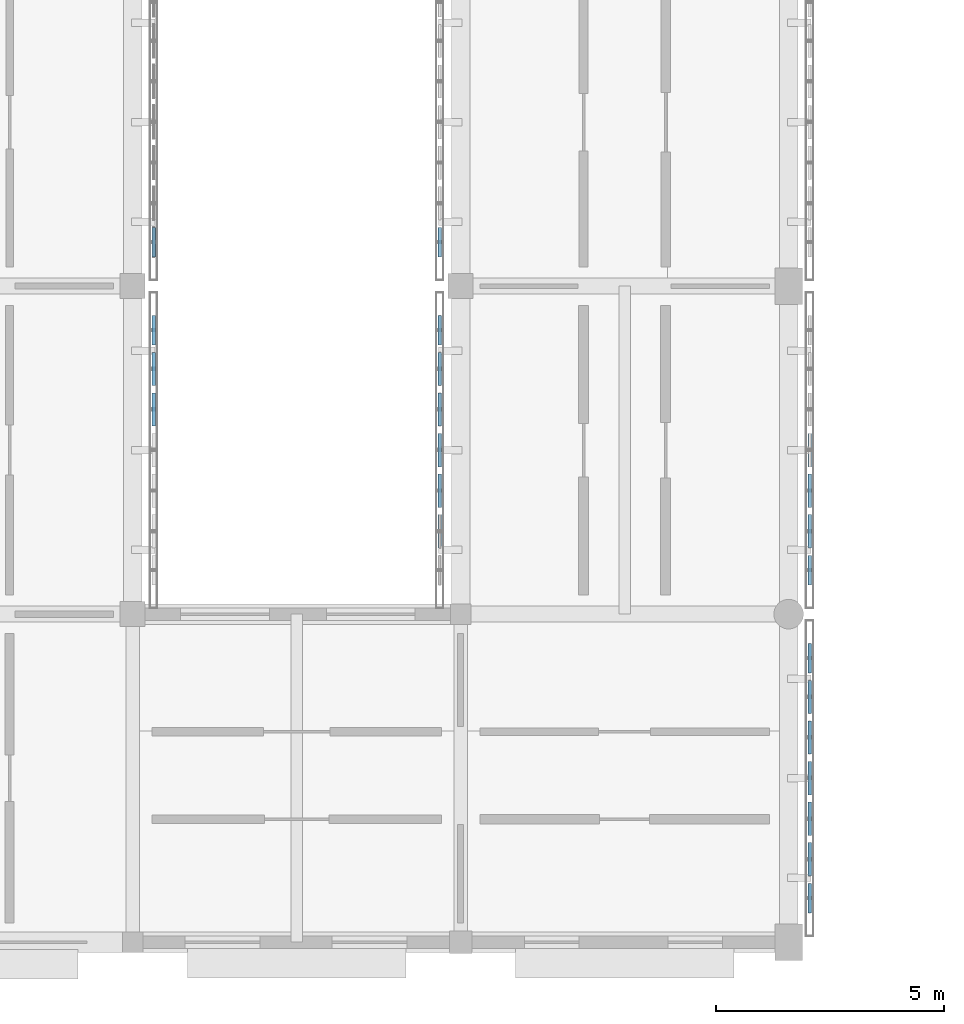
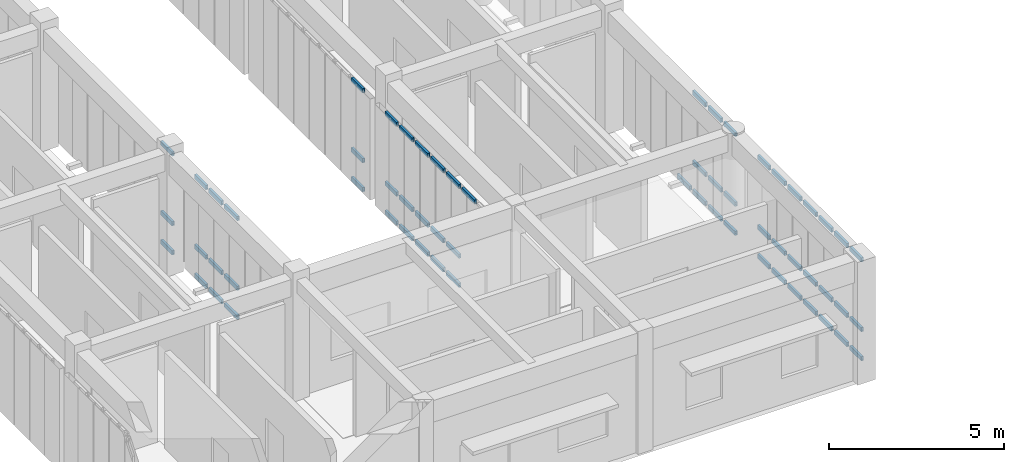
# One storey, part 70 of 171: 62 members, 6 elements without a shape of their own.
"""IFC4 building model written with IfcOpenShell, lengths in metres."""

from ifc_helpers import new_model, si_unit, direction, frame, origin, origin_2d, place, context, subcontext, project, spatial, hollow_rectangle, extrude, material, material_profile, profile_set, type_object, element, aggregate, save


model = new_model("IFC4")

# Units and contexts
model_context = context("Model", 3, precision=1e-05, world=origin(), true_north=direction((0.0, 1.0)))
body_context = subcontext(model_context, "Body", "Model", "MODEL_VIEW")
ifc_project = project(units=[si_unit("LENGTHUNIT", "METRE"), si_unit("AREAUNIT", "SQUARE_METRE"), si_unit("VOLUMEUNIT", "CUBIC_METRE"), si_unit("PLANEANGLEUNIT", "RADIAN"), si_unit("MASSUNIT", "GRAM", prefix="KILO")], contexts=[model_context])

# Site, building, storey
site_placement = place(None, origin())
site = spatial("IfcSite", under=ifc_project, at=site_placement, CompositionType="ELEMENT")
building_placement = place(site_placement, origin())
building = spatial("IfcBuilding", under=site, at=building_placement, Name="Aldebral Square Health Centre", CompositionType="ELEMENT")
storey_placement = place(building_placement, frame((0.0, 0.0, 4.5)))
storey = spatial("IfcBuildingStorey", under=building, at=storey_placement, Name="L01", CompositionType="ELEMENT", Elevation=4.5)

# Curtain wall, members
ifc_material_1 = material(Name="Aluminium and low-E solar glass", Category="aluminium")
curtain_wall_type = type_object("IfcCurtainWallType", Name="CW-FIN-SYS", PredefinedType="USERDEFINED", material=ifc_material_1)
curtain_wall_1_placement = place(storey_placement, origin())
curtain_wall_1 = element("IfcCurtainWall", 1, at=curtain_wall_1_placement, inside=storey, type_object=curtain_wall_type, Name="L01 V6 finned curtain wall L01-V6-00-01-E", ObjectType="SOLAR_CURTAIN_WALL", PredefinedType="USERDEFINED")
ifc_material_2 = material(Name="Anodised aluminium transom", Category="aluminium")
ifc_material_profile = material_profile(ifc_material_2, hollow_rectangle(XDim=0.074951171875, YDim=0.14990234375, WallThickness=0.00390625, at=origin_2d()), Name="CWT 75x150x4")
ifc_profile_set = profile_set([ifc_material_profile], Name="Anodised aluminium transom")
member_type = type_object("IfcMemberType", Name="CWT-STD", PredefinedType="USERDEFINED", material=ifc_profile_set)
member_1_placement = place(storey_placement, frame((7.659912109375, 11.32568359375, 0.03759765625), z_axis=(0.0, 1.0, 0.0), x_axis=(-1.0, 0.0, 0.0)))
member_1 = element("IfcMember", 2, at=member_1_placement, type_object=member_type, Name="CW1 transom 5.1", ObjectType="TRANSOM", PredefinedType="USERDEFINED", context=body_context, shape_type="SweptSolid", body=[
    extrude(hollow_rectangle(XDim=0.074951171875, YDim=0.14990234375, WallThickness=0.00390625, at=origin_2d()), origin(), (0.0, 0.0, 1.0), 0.7314453125),
])
member_2_placement = place(storey_placement, frame((7.659912109375, 11.32568359375, 1.050048828125), z_axis=(0.0, 1.0, 0.0), x_axis=(-1.0, 0.0, 0.0)))
member_2 = element("IfcMember", 3, at=member_2_placement, type_object=member_type, Name="CW1 transom 5.2", ObjectType="TRANSOM", PredefinedType="USERDEFINED", context=body_context, shape_type="SweptSolid", body=[
    extrude(hollow_rectangle(XDim=0.074951171875, YDim=0.14990234375, WallThickness=0.00390625, at=origin_2d()), origin(), (0.0, 0.0, 1.0), 0.7314453125),
])
member_3_placement = place(storey_placement, frame((7.659912109375, 11.32568359375, 3.482421875), z_axis=(0.0, 1.0, 0.0), x_axis=(-1.0, 0.0, 0.0)))
member_3 = element("IfcMember", 4, at=member_3_placement, type_object=member_type, Name="CW1 transom 5.3", ObjectType="TRANSOM", PredefinedType="USERDEFINED", context=body_context, shape_type="SweptSolid", body=[
    extrude(hollow_rectangle(XDim=0.074951171875, YDim=0.14990234375, WallThickness=0.00390625, at=origin_2d()), origin(), (0.0, 0.0, 1.0), 0.7314453125),
])
member_4_placement = place(storey_placement, frame((7.659912109375, 12.217041015625, 0.03759765625), z_axis=(0.0, 1.0, 0.0), x_axis=(-1.0, 0.0, 0.0)))
member_4 = element("IfcMember", 5, at=member_4_placement, type_object=member_type, Name="CW1 transom 6.1", ObjectType="TRANSOM", PredefinedType="USERDEFINED", context=body_context, shape_type="SweptSolid", body=[
    extrude(hollow_rectangle(XDim=0.074951171875, YDim=0.14990234375, WallThickness=0.00390625, at=origin_2d()), origin(), (0.0, 0.0, 1.0), 0.7314453125),
])
member_5_placement = place(storey_placement, frame((7.659912109375, 12.217041015625, 1.050048828125), z_axis=(0.0, 1.0, 0.0), x_axis=(-1.0, 0.0, 0.0)))
member_5 = element("IfcMember", 6, at=member_5_placement, type_object=member_type, Name="CW1 transom 6.2", ObjectType="TRANSOM", PredefinedType="USERDEFINED", context=body_context, shape_type="SweptSolid", body=[
    extrude(hollow_rectangle(XDim=0.074951171875, YDim=0.14990234375, WallThickness=0.00390625, at=origin_2d()), origin(), (0.0, 0.0, 1.0), 0.7314453125),
])
member_6_placement = place(storey_placement, frame((7.659912109375, 12.217041015625, 3.482421875), z_axis=(0.0, 1.0, 0.0), x_axis=(-1.0, 0.0, 0.0)))
member_6 = element("IfcMember", 7, at=member_6_placement, type_object=member_type, Name="CW1 transom 6.3", ObjectType="TRANSOM", PredefinedType="USERDEFINED", context=body_context, shape_type="SweptSolid", body=[
    extrude(hollow_rectangle(XDim=0.074951171875, YDim=0.14990234375, WallThickness=0.00390625, at=origin_2d()), origin(), (0.0, 0.0, 1.0), 0.7314453125),
])
member_7_placement = place(storey_placement, frame((7.659912109375, 13.108642578125, 0.03759765625), z_axis=(0.0, 1.0, 0.0), x_axis=(-1.0, 0.0, 0.0)))
member_7 = element("IfcMember", 8, at=member_7_placement, type_object=member_type, Name="CW1 transom 7.1", ObjectType="TRANSOM", PredefinedType="USERDEFINED", context=body_context, shape_type="SweptSolid", body=[
    extrude(hollow_rectangle(XDim=0.074951171875, YDim=0.14990234375, WallThickness=0.00390625, at=origin_2d()), origin(), (0.0, 0.0, 1.0), 0.6513671875),
])
member_8_placement = place(storey_placement, frame((7.659912109375, 13.108642578125, 1.050048828125), z_axis=(0.0, 1.0, 0.0), x_axis=(-1.0, 0.0, 0.0)))
member_8 = element("IfcMember", 9, at=member_8_placement, type_object=member_type, Name="CW1 transom 7.2", ObjectType="TRANSOM", PredefinedType="USERDEFINED", context=body_context, shape_type="SweptSolid", body=[
    extrude(hollow_rectangle(XDim=0.074951171875, YDim=0.14990234375, WallThickness=0.00390625, at=origin_2d()), origin(), (0.0, 0.0, 1.0), 0.6513671875),
])
member_9_placement = place(storey_placement, frame((7.659912109375, 13.108642578125, 3.482421875), z_axis=(0.0, 1.0, 0.0), x_axis=(-1.0, 0.0, 0.0)))
member_9 = element("IfcMember", 10, at=member_9_placement, type_object=member_type, Name="CW1 transom 7.3", ObjectType="TRANSOM", PredefinedType="USERDEFINED", context=body_context, shape_type="SweptSolid", body=[
    extrude(hollow_rectangle(XDim=0.074951171875, YDim=0.14990234375, WallThickness=0.00390625, at=origin_2d()), origin(), (0.0, 0.0, 1.0), 0.6513671875),
])
aggregate(curtain_wall_1, [member_1, member_2, member_3, member_4, member_5, member_6, member_7, member_8, member_9])

curtain_wall_2_placement = place(storey_placement, origin())
curtain_wall_2 = element("IfcCurtainWall", 11, at=curtain_wall_2_placement, inside=storey, type_object=curtain_wall_type, Name="L01 V6 finned curtain wall L01-V6-00-02-E", ObjectType="SOLAR_CURTAIN_WALL", PredefinedType="USERDEFINED")
member_10_placement = place(storey_placement, frame((7.659912109375, 15.0400390625, 0.03759765625), z_axis=(0.0, 1.0, 0.0), x_axis=(-1.0, 0.0, 0.0)))
member_10 = element("IfcMember", 12, at=member_10_placement, type_object=member_type, Name="CW1 transom 1.1", ObjectType="TRANSOM", PredefinedType="USERDEFINED", context=body_context, shape_type="SweptSolid", body=[
    extrude(hollow_rectangle(XDim=0.074951171875, YDim=0.14990234375, WallThickness=0.00390625, at=origin_2d()), origin(), (0.0, 0.0, 1.0), 0.6513671875),
])
member_11_placement = place(storey_placement, frame((7.659912109375, 15.0400390625, 1.050048828125), z_axis=(0.0, 1.0, 0.0), x_axis=(-1.0, 0.0, 0.0)))
member_11 = element("IfcMember", 13, at=member_11_placement, type_object=member_type, Name="CW1 transom 1.2", ObjectType="TRANSOM", PredefinedType="USERDEFINED", context=body_context, shape_type="SweptSolid", body=[
    extrude(hollow_rectangle(XDim=0.074951171875, YDim=0.14990234375, WallThickness=0.00390625, at=origin_2d()), origin(), (0.0, 0.0, 1.0), 0.6513671875),
])
member_12_placement = place(storey_placement, frame((7.659912109375, 15.0400390625, 3.482421875), z_axis=(0.0, 1.0, 0.0), x_axis=(-1.0, 0.0, 0.0)))
member_12 = element("IfcMember", 14, at=member_12_placement, type_object=member_type, Name="CW1 transom 1.3", ObjectType="TRANSOM", PredefinedType="USERDEFINED", context=body_context, shape_type="SweptSolid", body=[
    extrude(hollow_rectangle(XDim=0.074951171875, YDim=0.14990234375, WallThickness=0.00390625, at=origin_2d()), origin(), (0.0, 0.0, 1.0), 0.6513671875),
])
aggregate(curtain_wall_2, [member_10, member_11, member_12])

curtain_wall_3_placement = place(storey_placement, origin())
curtain_wall_3 = element("IfcCurtainWall", 15, at=curtain_wall_3_placement, inside=storey, type_object=curtain_wall_type, Name="L01 V6 finned curtain wall L01-V6-02-00-E", ObjectType="SOLAR_CURTAIN_WALL", PredefinedType="USERDEFINED")
member_13_placement = place(storey_placement, frame((22.06005859375, 0.639892578125, 0.03759765625), z_axis=(0.0, 1.0, 0.0), x_axis=(-1.0, 0.0, 0.0)))
member_13 = element("IfcMember", 16, at=member_13_placement, type_object=member_type, Name="CW1 transom 1.1", ObjectType="TRANSOM", PredefinedType="USERDEFINED", context=body_context, shape_type="SweptSolid", body=[
    extrude(hollow_rectangle(XDim=0.074951171875, YDim=0.14990234375, WallThickness=0.00390625, at=origin_2d()), origin(), (0.0, 0.0, 1.0), 0.651611328125),
])
member_14_placement = place(storey_placement, frame((22.06005859375, 0.639892578125, 1.050048828125), z_axis=(0.0, 1.0, 0.0), x_axis=(-1.0, 0.0, 0.0)))
member_14 = element("IfcMember", 17, at=member_14_placement, type_object=member_type, Name="CW1 transom 1.2", ObjectType="TRANSOM", PredefinedType="USERDEFINED", context=body_context, shape_type="SweptSolid", body=[
    extrude(hollow_rectangle(XDim=0.074951171875, YDim=0.14990234375, WallThickness=0.00390625, at=origin_2d()), origin(), (0.0, 0.0, 1.0), 0.651611328125),
])
member_15_placement = place(storey_placement, frame((22.06005859375, 0.639892578125, 3.482421875), z_axis=(0.0, 1.0, 0.0), x_axis=(-1.0, 0.0, 0.0)))
member_15 = element("IfcMember", 18, at=member_15_placement, type_object=member_type, Name="CW1 transom 1.3", ObjectType="TRANSOM", PredefinedType="USERDEFINED", context=body_context, shape_type="SweptSolid", body=[
    extrude(hollow_rectangle(XDim=0.074951171875, YDim=0.14990234375, WallThickness=0.00390625, at=origin_2d()), origin(), (0.0, 0.0, 1.0), 0.651611328125),
])
member_16_placement = place(storey_placement, frame((22.06005859375, 1.451416015625, 0.03759765625), z_axis=(0.0, 1.0, 0.0), x_axis=(-1.0, 0.0, 0.0)))
member_16 = element("IfcMember", 19, at=member_16_placement, type_object=member_type, Name="CW1 transom 2.1", ObjectType="TRANSOM", PredefinedType="USERDEFINED", context=body_context, shape_type="SweptSolid", body=[
    extrude(hollow_rectangle(XDim=0.074951171875, YDim=0.14990234375, WallThickness=0.00390625, at=origin_2d()), origin(), (0.0, 0.0, 1.0), 0.7314453125),
])
member_17_placement = place(storey_placement, frame((22.06005859375, 1.451416015625, 1.050048828125), z_axis=(0.0, 1.0, 0.0), x_axis=(-1.0, 0.0, 0.0)))
member_17 = element("IfcMember", 20, at=member_17_placement, type_object=member_type, Name="CW1 transom 2.2", ObjectType="TRANSOM", PredefinedType="USERDEFINED", context=body_context, shape_type="SweptSolid", body=[
    extrude(hollow_rectangle(XDim=0.074951171875, YDim=0.14990234375, WallThickness=0.00390625, at=origin_2d()), origin(), (0.0, 0.0, 1.0), 0.7314453125),
])
member_18_placement = place(storey_placement, frame((22.06005859375, 1.451416015625, 3.482421875), z_axis=(0.0, 1.0, 0.0), x_axis=(-1.0, 0.0, 0.0)))
member_18 = element("IfcMember", 21, at=member_18_placement, type_object=member_type, Name="CW1 transom 2.3", ObjectType="TRANSOM", PredefinedType="USERDEFINED", context=body_context, shape_type="SweptSolid", body=[
    extrude(hollow_rectangle(XDim=0.074951171875, YDim=0.14990234375, WallThickness=0.00390625, at=origin_2d()), origin(), (0.0, 0.0, 1.0), 0.7314453125),
])
member_19_placement = place(storey_placement, frame((22.06005859375, 2.3427734375, 0.03759765625), z_axis=(0.0, 1.0, 0.0), x_axis=(-1.0, 0.0, 0.0)))
member_19 = element("IfcMember", 22, at=member_19_placement, type_object=member_type, Name="CW1 transom 3.1", ObjectType="TRANSOM", PredefinedType="USERDEFINED", context=body_context, shape_type="SweptSolid", body=[
    extrude(hollow_rectangle(XDim=0.074951171875, YDim=0.14990234375, WallThickness=0.00390625, at=origin_2d()), origin(), (0.0, 0.0, 1.0), 0.7314453125),
])
member_20_placement = place(storey_placement, frame((22.06005859375, 2.3427734375, 1.050048828125), z_axis=(0.0, 1.0, 0.0), x_axis=(-1.0, 0.0, 0.0)))
member_20 = element("IfcMember", 23, at=member_20_placement, type_object=member_type, Name="CW1 transom 3.2", ObjectType="TRANSOM", PredefinedType="USERDEFINED", context=body_context, shape_type="SweptSolid", body=[
    extrude(hollow_rectangle(XDim=0.074951171875, YDim=0.14990234375, WallThickness=0.00390625, at=origin_2d()), origin(), (0.0, 0.0, 1.0), 0.7314453125),
])
member_21_placement = place(storey_placement, frame((22.06005859375, 2.3427734375, 3.482421875), z_axis=(0.0, 1.0, 0.0), x_axis=(-1.0, 0.0, 0.0)))
member_21 = element("IfcMember", 24, at=member_21_placement, type_object=member_type, Name="CW1 transom 3.3", ObjectType="TRANSOM", PredefinedType="USERDEFINED", context=body_context, shape_type="SweptSolid", body=[
    extrude(hollow_rectangle(XDim=0.074951171875, YDim=0.14990234375, WallThickness=0.00390625, at=origin_2d()), origin(), (0.0, 0.0, 1.0), 0.7314453125),
])
member_22_placement = place(storey_placement, frame((22.06005859375, 3.234375, 0.03759765625), z_axis=(0.0, 1.0, 0.0), x_axis=(-1.0, 0.0, 0.0)))
member_22 = element("IfcMember", 25, at=member_22_placement, type_object=member_type, Name="CW1 transom 4.1", ObjectType="TRANSOM", PredefinedType="USERDEFINED", context=body_context, shape_type="SweptSolid", body=[
    extrude(hollow_rectangle(XDim=0.074951171875, YDim=0.14990234375, WallThickness=0.00390625, at=origin_2d()), origin(), (0.0, 0.0, 1.0), 0.7314453125),
])
member_23_placement = place(storey_placement, frame((22.06005859375, 3.234375, 1.050048828125), z_axis=(0.0, 1.0, 0.0), x_axis=(-1.0, 0.0, 0.0)))
member_23 = element("IfcMember", 26, at=member_23_placement, type_object=member_type, Name="CW1 transom 4.2", ObjectType="TRANSOM", PredefinedType="USERDEFINED", context=body_context, shape_type="SweptSolid", body=[
    extrude(hollow_rectangle(XDim=0.074951171875, YDim=0.14990234375, WallThickness=0.00390625, at=origin_2d()), origin(), (0.0, 0.0, 1.0), 0.7314453125),
])
member_24_placement = place(storey_placement, frame((22.06005859375, 3.234375, 3.482421875), z_axis=(0.0, 1.0, 0.0), x_axis=(-1.0, 0.0, 0.0)))
member_24 = element("IfcMember", 27, at=member_24_placement, type_object=member_type, Name="CW1 transom 4.3", ObjectType="TRANSOM", PredefinedType="USERDEFINED", context=body_context, shape_type="SweptSolid", body=[
    extrude(hollow_rectangle(XDim=0.074951171875, YDim=0.14990234375, WallThickness=0.00390625, at=origin_2d()), origin(), (0.0, 0.0, 1.0), 0.7314453125),
])
member_25_placement = place(storey_placement, frame((22.06005859375, 4.125732421875, 0.03759765625), z_axis=(0.0, 1.0, 0.0), x_axis=(-1.0, 0.0, 0.0)))
member_25 = element("IfcMember", 28, at=member_25_placement, type_object=member_type, Name="CW1 transom 5.1", ObjectType="TRANSOM", PredefinedType="USERDEFINED", context=body_context, shape_type="SweptSolid", body=[
    extrude(hollow_rectangle(XDim=0.074951171875, YDim=0.14990234375, WallThickness=0.00390625, at=origin_2d()), origin(), (0.0, 0.0, 1.0), 0.7314453125),
])
member_26_placement = place(storey_placement, frame((22.06005859375, 4.125732421875, 1.050048828125), z_axis=(0.0, 1.0, 0.0), x_axis=(-1.0, 0.0, 0.0)))
member_26 = element("IfcMember", 29, at=member_26_placement, type_object=member_type, Name="CW1 transom 5.2", ObjectType="TRANSOM", PredefinedType="USERDEFINED", context=body_context, shape_type="SweptSolid", body=[
    extrude(hollow_rectangle(XDim=0.074951171875, YDim=0.14990234375, WallThickness=0.00390625, at=origin_2d()), origin(), (0.0, 0.0, 1.0), 0.7314453125),
])
member_27_placement = place(storey_placement, frame((22.06005859375, 4.125732421875, 3.482421875), z_axis=(0.0, 1.0, 0.0), x_axis=(-1.0, 0.0, 0.0)))
member_27 = element("IfcMember", 30, at=member_27_placement, type_object=member_type, Name="CW1 transom 5.3", ObjectType="TRANSOM", PredefinedType="USERDEFINED", context=body_context, shape_type="SweptSolid", body=[
    extrude(hollow_rectangle(XDim=0.074951171875, YDim=0.14990234375, WallThickness=0.00390625, at=origin_2d()), origin(), (0.0, 0.0, 1.0), 0.7314453125),
])
member_28_placement = place(storey_placement, frame((22.06005859375, 5.01708984375, 0.03759765625), z_axis=(0.0, 1.0, 0.0), x_axis=(-1.0, 0.0, 0.0)))
member_28 = element("IfcMember", 31, at=member_28_placement, type_object=member_type, Name="CW1 transom 6.1", ObjectType="TRANSOM", PredefinedType="USERDEFINED", context=body_context, shape_type="SweptSolid", body=[
    extrude(hollow_rectangle(XDim=0.074951171875, YDim=0.14990234375, WallThickness=0.00390625, at=origin_2d()), origin(), (0.0, 0.0, 1.0), 0.7314453125),
])
member_29_placement = place(storey_placement, frame((22.06005859375, 5.01708984375, 1.050048828125), z_axis=(0.0, 1.0, 0.0), x_axis=(-1.0, 0.0, 0.0)))
member_29 = element("IfcMember", 32, at=member_29_placement, type_object=member_type, Name="CW1 transom 6.2", ObjectType="TRANSOM", PredefinedType="USERDEFINED", context=body_context, shape_type="SweptSolid", body=[
    extrude(hollow_rectangle(XDim=0.074951171875, YDim=0.14990234375, WallThickness=0.00390625, at=origin_2d()), origin(), (0.0, 0.0, 1.0), 0.7314453125),
])
member_30_placement = place(storey_placement, frame((22.06005859375, 5.01708984375, 3.482421875), z_axis=(0.0, 1.0, 0.0), x_axis=(-1.0, 0.0, 0.0)))
member_30 = element("IfcMember", 33, at=member_30_placement, type_object=member_type, Name="CW1 transom 6.3", ObjectType="TRANSOM", PredefinedType="USERDEFINED", context=body_context, shape_type="SweptSolid", body=[
    extrude(hollow_rectangle(XDim=0.074951171875, YDim=0.14990234375, WallThickness=0.00390625, at=origin_2d()), origin(), (0.0, 0.0, 1.0), 0.7314453125),
])
member_31_placement = place(storey_placement, frame((22.06005859375, 5.90869140625, 0.03759765625), z_axis=(0.0, 1.0, 0.0), x_axis=(-1.0, 0.0, 0.0)))
member_31 = element("IfcMember", 34, at=member_31_placement, type_object=member_type, Name="CW1 transom 7.1", ObjectType="TRANSOM", PredefinedType="USERDEFINED", context=body_context, shape_type="SweptSolid", body=[
    extrude(hollow_rectangle(XDim=0.074951171875, YDim=0.14990234375, WallThickness=0.00390625, at=origin_2d()), origin(), (0.0, 0.0, 1.0), 0.6513671875),
])
member_32_placement = place(storey_placement, frame((22.06005859375, 5.90869140625, 1.050048828125), z_axis=(0.0, 1.0, 0.0), x_axis=(-1.0, 0.0, 0.0)))
member_32 = element("IfcMember", 35, at=member_32_placement, type_object=member_type, Name="CW1 transom 7.2", ObjectType="TRANSOM", PredefinedType="USERDEFINED", context=body_context, shape_type="SweptSolid", body=[
    extrude(hollow_rectangle(XDim=0.074951171875, YDim=0.14990234375, WallThickness=0.00390625, at=origin_2d()), origin(), (0.0, 0.0, 1.0), 0.6513671875),
])
member_33_placement = place(storey_placement, frame((22.06005859375, 5.90869140625, 3.482421875), z_axis=(0.0, 1.0, 0.0), x_axis=(-1.0, 0.0, 0.0)))
member_33 = element("IfcMember", 36, at=member_33_placement, type_object=member_type, Name="CW1 transom 7.3", ObjectType="TRANSOM", PredefinedType="USERDEFINED", context=body_context, shape_type="SweptSolid", body=[
    extrude(hollow_rectangle(XDim=0.074951171875, YDim=0.14990234375, WallThickness=0.00390625, at=origin_2d()), origin(), (0.0, 0.0, 1.0), 0.6513671875),
])
aggregate(curtain_wall_3, [member_13, member_14, member_15, member_16, member_17, member_18, member_19, member_20, member_21, member_22, member_23, member_24, member_25, member_26, member_27, member_28, member_29, member_30, member_31, member_32, member_33])

curtain_wall_4_placement = place(storey_placement, origin())
curtain_wall_4 = element("IfcCurtainWall", 37, at=curtain_wall_4_placement, inside=storey, type_object=curtain_wall_type, Name="L01 V6 finned curtain wall L01-V6-02-01-W", ObjectType="SOLAR_CURTAIN_WALL", PredefinedType="USERDEFINED")
member_34_placement = place(storey_placement, frame((13.93994140625, 13.760009765625, 0.03759765625), z_axis=(0.0, -1.0, 0.0), x_axis=(1.0, 0.0, 0.0)))
member_34 = element("IfcMember", 38, at=member_34_placement, type_object=member_type, Name="CW1 transom 1.1", ObjectType="TRANSOM", PredefinedType="USERDEFINED", context=body_context, shape_type="SweptSolid", body=[
    extrude(hollow_rectangle(XDim=0.074951171875, YDim=0.14990234375, WallThickness=0.00390625, at=origin_2d()), origin(), (0.0, 0.0, 1.0), 0.6513671875),
])
member_35_placement = place(storey_placement, frame((13.93994140625, 13.760009765625, 1.050048828125), z_axis=(0.0, -1.0, 0.0), x_axis=(1.0, 0.0, 0.0)))
member_35 = element("IfcMember", 39, at=member_35_placement, type_object=member_type, Name="CW1 transom 1.2", ObjectType="TRANSOM", PredefinedType="USERDEFINED", context=body_context, shape_type="SweptSolid", body=[
    extrude(hollow_rectangle(XDim=0.074951171875, YDim=0.14990234375, WallThickness=0.00390625, at=origin_2d()), origin(), (0.0, 0.0, 1.0), 0.6513671875),
])
member_36_placement = place(storey_placement, frame((13.93994140625, 13.760009765625, 3.482421875), z_axis=(0.0, -1.0, 0.0), x_axis=(1.0, 0.0, 0.0)))
member_36 = element("IfcMember", 40, at=member_36_placement, type_object=member_type, Name="CW1 transom 1.3", ObjectType="TRANSOM", PredefinedType="USERDEFINED", context=body_context, shape_type="SweptSolid", body=[
    extrude(hollow_rectangle(XDim=0.074951171875, YDim=0.14990234375, WallThickness=0.00390625, at=origin_2d()), origin(), (0.0, 0.0, 1.0), 0.6513671875),
])
member_37_placement = place(storey_placement, frame((13.93994140625, 12.948486328125, 0.03759765625), z_axis=(0.0, -1.0, 0.0), x_axis=(1.0, 0.0, 0.0)))
member_37 = element("IfcMember", 41, at=member_37_placement, type_object=member_type, Name="CW1 transom 2.1", ObjectType="TRANSOM", PredefinedType="USERDEFINED", context=body_context, shape_type="SweptSolid", body=[
    extrude(hollow_rectangle(XDim=0.074951171875, YDim=0.14990234375, WallThickness=0.00390625, at=origin_2d()), origin(), (0.0, 0.0, 1.0), 0.7314453125),
])
member_38_placement = place(storey_placement, frame((13.93994140625, 12.948486328125, 1.050048828125), z_axis=(0.0, -1.0, 0.0), x_axis=(1.0, 0.0, 0.0)))
member_38 = element("IfcMember", 42, at=member_38_placement, type_object=member_type, Name="CW1 transom 2.2", ObjectType="TRANSOM", PredefinedType="USERDEFINED", context=body_context, shape_type="SweptSolid", body=[
    extrude(hollow_rectangle(XDim=0.074951171875, YDim=0.14990234375, WallThickness=0.00390625, at=origin_2d()), origin(), (0.0, 0.0, 1.0), 0.7314453125),
])
member_39_placement = place(storey_placement, frame((13.93994140625, 12.948486328125, 3.482421875), z_axis=(0.0, -1.0, 0.0), x_axis=(1.0, 0.0, 0.0)))
member_39 = element("IfcMember", 43, at=member_39_placement, type_object=member_type, Name="CW1 transom 2.3", ObjectType="TRANSOM", PredefinedType="USERDEFINED", context=body_context, shape_type="SweptSolid", body=[
    extrude(hollow_rectangle(XDim=0.074951171875, YDim=0.14990234375, WallThickness=0.00390625, at=origin_2d()), origin(), (0.0, 0.0, 1.0), 0.7314453125),
])
member_40_placement = place(storey_placement, frame((13.93994140625, 12.05712890625, 0.03759765625), z_axis=(0.0, -1.0, 0.0), x_axis=(1.0, 0.0, 0.0)))
member_40 = element("IfcMember", 44, at=member_40_placement, type_object=member_type, Name="CW1 transom 3.1", ObjectType="TRANSOM", PredefinedType="USERDEFINED", context=body_context, shape_type="SweptSolid", body=[
    extrude(hollow_rectangle(XDim=0.074951171875, YDim=0.14990234375, WallThickness=0.00390625, at=origin_2d()), origin(), (0.0, 0.0, 1.0), 0.7314453125),
])
member_41_placement = place(storey_placement, frame((13.93994140625, 12.05712890625, 1.050048828125), z_axis=(0.0, -1.0, 0.0), x_axis=(1.0, 0.0, 0.0)))
member_41 = element("IfcMember", 45, at=member_41_placement, type_object=member_type, Name="CW1 transom 3.2", ObjectType="TRANSOM", PredefinedType="USERDEFINED", context=body_context, shape_type="SweptSolid", body=[
    extrude(hollow_rectangle(XDim=0.074951171875, YDim=0.14990234375, WallThickness=0.00390625, at=origin_2d()), origin(), (0.0, 0.0, 1.0), 0.7314453125),
])
member_42_placement = place(storey_placement, frame((13.93994140625, 12.05712890625, 3.482421875), z_axis=(0.0, -1.0, 0.0), x_axis=(1.0, 0.0, 0.0)))
member_42 = element("IfcMember", 46, at=member_42_placement, type_object=member_type, Name="CW1 transom 3.3", ObjectType="TRANSOM", PredefinedType="USERDEFINED", context=body_context, shape_type="SweptSolid", body=[
    extrude(hollow_rectangle(XDim=0.074951171875, YDim=0.14990234375, WallThickness=0.00390625, at=origin_2d()), origin(), (0.0, 0.0, 1.0), 0.7314453125),
])
member_43_placement = place(storey_placement, frame((13.93994140625, 11.165771484375, 0.03759765625), z_axis=(0.0, -1.0, 0.0), x_axis=(1.0, 0.0, 0.0)))
member_43 = element("IfcMember", 47, at=member_43_placement, type_object=member_type, Name="CW1 transom 4.1", ObjectType="TRANSOM", PredefinedType="USERDEFINED", context=body_context, shape_type="SweptSolid", body=[
    extrude(hollow_rectangle(XDim=0.074951171875, YDim=0.14990234375, WallThickness=0.00390625, at=origin_2d()), origin(), (0.0, 0.0, 1.0), 0.7314453125),
])
member_44_placement = place(storey_placement, frame((13.93994140625, 11.165771484375, 1.050048828125), z_axis=(0.0, -1.0, 0.0), x_axis=(1.0, 0.0, 0.0)))
member_44 = element("IfcMember", 48, at=member_44_placement, type_object=member_type, Name="CW1 transom 4.2", ObjectType="TRANSOM", PredefinedType="USERDEFINED", context=body_context, shape_type="SweptSolid", body=[
    extrude(hollow_rectangle(XDim=0.074951171875, YDim=0.14990234375, WallThickness=0.00390625, at=origin_2d()), origin(), (0.0, 0.0, 1.0), 0.7314453125),
])
member_45_placement = place(storey_placement, frame((13.93994140625, 11.165771484375, 3.482421875), z_axis=(0.0, -1.0, 0.0), x_axis=(1.0, 0.0, 0.0)))
member_45 = element("IfcMember", 49, at=member_45_placement, type_object=member_type, Name="CW1 transom 4.3", ObjectType="TRANSOM", PredefinedType="USERDEFINED", context=body_context, shape_type="SweptSolid", body=[
    extrude(hollow_rectangle(XDim=0.074951171875, YDim=0.14990234375, WallThickness=0.00390625, at=origin_2d()), origin(), (0.0, 0.0, 1.0), 0.7314453125),
])
member_46_placement = place(storey_placement, frame((13.93994140625, 10.274169921875, 0.03759765625), z_axis=(0.0, -1.0, 0.0), x_axis=(1.0, 0.0, 0.0)))
member_46 = element("IfcMember", 50, at=member_46_placement, type_object=member_type, Name="CW1 transom 5.1", ObjectType="TRANSOM", PredefinedType="USERDEFINED", context=body_context, shape_type="SweptSolid", body=[
    extrude(hollow_rectangle(XDim=0.074951171875, YDim=0.14990234375, WallThickness=0.00390625, at=origin_2d()), origin(), (0.0, 0.0, 1.0), 0.731201171875),
])
member_47_placement = place(storey_placement, frame((13.93994140625, 10.274169921875, 1.050048828125), z_axis=(0.0, -1.0, 0.0), x_axis=(1.0, 0.0, 0.0)))
member_47 = element("IfcMember", 51, at=member_47_placement, type_object=member_type, Name="CW1 transom 5.2", ObjectType="TRANSOM", PredefinedType="USERDEFINED", context=body_context, shape_type="SweptSolid", body=[
    extrude(hollow_rectangle(XDim=0.074951171875, YDim=0.14990234375, WallThickness=0.00390625, at=origin_2d()), origin(), (0.0, 0.0, 1.0), 0.731201171875),
])
member_48_placement = place(storey_placement, frame((13.93994140625, 10.274169921875, 3.482421875), z_axis=(0.0, -1.0, 0.0), x_axis=(1.0, 0.0, 0.0)))
member_48 = element("IfcMember", 52, at=member_48_placement, type_object=member_type, Name="CW1 transom 5.3", ObjectType="TRANSOM", PredefinedType="USERDEFINED", context=body_context, shape_type="SweptSolid", body=[
    extrude(hollow_rectangle(XDim=0.074951171875, YDim=0.14990234375, WallThickness=0.00390625, at=origin_2d()), origin(), (0.0, 0.0, 1.0), 0.731201171875),
])
member_49_placement = place(storey_placement, frame((13.93994140625, 9.3828125, 3.482421875), z_axis=(0.0, -1.0, 0.0), x_axis=(1.0, 0.0, 0.0)))
member_49 = element("IfcMember", 53, at=member_49_placement, type_object=member_type, Name="CW1 transom 6.3", ObjectType="TRANSOM", PredefinedType="USERDEFINED", context=body_context, shape_type="SweptSolid", body=[
    extrude(hollow_rectangle(XDim=0.074951171875, YDim=0.14990234375, WallThickness=0.00390625, at=origin_2d()), origin(), (0.0, 0.0, 1.0), 0.7314453125),
])
aggregate(curtain_wall_4, [member_34, member_35, member_36, member_37, member_38, member_39, member_40, member_41, member_42, member_43, member_44, member_45, member_46, member_47, member_48, member_49])

curtain_wall_5_placement = place(storey_placement, origin())
curtain_wall_5 = element("IfcCurtainWall", 54, at=curtain_wall_5_placement, inside=storey, type_object=curtain_wall_type, Name="L01 V6 finned curtain wall L01-V6-02-01-E", ObjectType="SOLAR_CURTAIN_WALL", PredefinedType="USERDEFINED")
member_50_placement = place(storey_placement, frame((22.06005859375, 7.840087890625, 0.03759765625), z_axis=(0.0, 1.0, 0.0), x_axis=(-1.0, 0.0, 0.0)))
member_50 = element("IfcMember", 55, at=member_50_placement, type_object=member_type, Name="CW1 transom 1.1", ObjectType="TRANSOM", PredefinedType="USERDEFINED", context=body_context, shape_type="SweptSolid", body=[
    extrude(hollow_rectangle(XDim=0.074951171875, YDim=0.14990234375, WallThickness=0.00390625, at=origin_2d()), origin(), (0.0, 0.0, 1.0), 0.6513671875),
])
member_51_placement = place(storey_placement, frame((22.06005859375, 7.840087890625, 1.050048828125), z_axis=(0.0, 1.0, 0.0), x_axis=(-1.0, 0.0, 0.0)))
member_51 = element("IfcMember", 56, at=member_51_placement, type_object=member_type, Name="CW1 transom 1.2", ObjectType="TRANSOM", PredefinedType="USERDEFINED", context=body_context, shape_type="SweptSolid", body=[
    extrude(hollow_rectangle(XDim=0.074951171875, YDim=0.14990234375, WallThickness=0.00390625, at=origin_2d()), origin(), (0.0, 0.0, 1.0), 0.6513671875),
])
member_52_placement = place(storey_placement, frame((22.06005859375, 7.840087890625, 3.482421875), z_axis=(0.0, 1.0, 0.0), x_axis=(-1.0, 0.0, 0.0)))
member_52 = element("IfcMember", 57, at=member_52_placement, type_object=member_type, Name="CW1 transom 1.3", ObjectType="TRANSOM", PredefinedType="USERDEFINED", context=body_context, shape_type="SweptSolid", body=[
    extrude(hollow_rectangle(XDim=0.074951171875, YDim=0.14990234375, WallThickness=0.00390625, at=origin_2d()), origin(), (0.0, 0.0, 1.0), 0.6513671875),
])
member_53_placement = place(storey_placement, frame((22.06005859375, 8.6513671875, 0.03759765625), z_axis=(0.0, 1.0, 0.0), x_axis=(-1.0, 0.0, 0.0)))
member_53 = element("IfcMember", 58, at=member_53_placement, type_object=member_type, Name="CW1 transom 2.1", ObjectType="TRANSOM", PredefinedType="USERDEFINED", context=body_context, shape_type="SweptSolid", body=[
    extrude(hollow_rectangle(XDim=0.074951171875, YDim=0.14990234375, WallThickness=0.00390625, at=origin_2d()), origin(), (0.0, 0.0, 1.0), 0.7314453125),
])
member_54_placement = place(storey_placement, frame((22.06005859375, 8.6513671875, 1.050048828125), z_axis=(0.0, 1.0, 0.0), x_axis=(-1.0, 0.0, 0.0)))
member_54 = element("IfcMember", 59, at=member_54_placement, type_object=member_type, Name="CW1 transom 2.2", ObjectType="TRANSOM", PredefinedType="USERDEFINED", context=body_context, shape_type="SweptSolid", body=[
    extrude(hollow_rectangle(XDim=0.074951171875, YDim=0.14990234375, WallThickness=0.00390625, at=origin_2d()), origin(), (0.0, 0.0, 1.0), 0.7314453125),
])
member_55_placement = place(storey_placement, frame((22.06005859375, 8.6513671875, 3.482421875), z_axis=(0.0, 1.0, 0.0), x_axis=(-1.0, 0.0, 0.0)))
member_55 = element("IfcMember", 60, at=member_55_placement, type_object=member_type, Name="CW1 transom 2.3", ObjectType="TRANSOM", PredefinedType="USERDEFINED", context=body_context, shape_type="SweptSolid", body=[
    extrude(hollow_rectangle(XDim=0.074951171875, YDim=0.14990234375, WallThickness=0.00390625, at=origin_2d()), origin(), (0.0, 0.0, 1.0), 0.7314453125),
])
member_56_placement = place(storey_placement, frame((22.06005859375, 9.54296875, 0.03759765625), z_axis=(0.0, 1.0, 0.0), x_axis=(-1.0, 0.0, 0.0)))
member_56 = element("IfcMember", 61, at=member_56_placement, type_object=member_type, Name="CW1 transom 3.1", ObjectType="TRANSOM", PredefinedType="USERDEFINED", context=body_context, shape_type="SweptSolid", body=[
    extrude(hollow_rectangle(XDim=0.074951171875, YDim=0.14990234375, WallThickness=0.00390625, at=origin_2d()), origin(), (0.0, 0.0, 1.0), 0.731201171875),
])
member_57_placement = place(storey_placement, frame((22.06005859375, 9.54296875, 1.050048828125), z_axis=(0.0, 1.0, 0.0), x_axis=(-1.0, 0.0, 0.0)))
member_57 = element("IfcMember", 62, at=member_57_placement, type_object=member_type, Name="CW1 transom 3.2", ObjectType="TRANSOM", PredefinedType="USERDEFINED", context=body_context, shape_type="SweptSolid", body=[
    extrude(hollow_rectangle(XDim=0.074951171875, YDim=0.14990234375, WallThickness=0.00390625, at=origin_2d()), origin(), (0.0, 0.0, 1.0), 0.731201171875),
])
member_58_placement = place(storey_placement, frame((22.06005859375, 9.54296875, 3.482421875), z_axis=(0.0, 1.0, 0.0), x_axis=(-1.0, 0.0, 0.0)))
member_58 = element("IfcMember", 63, at=member_58_placement, type_object=member_type, Name="CW1 transom 3.3", ObjectType="TRANSOM", PredefinedType="USERDEFINED", context=body_context, shape_type="SweptSolid", body=[
    extrude(hollow_rectangle(XDim=0.074951171875, YDim=0.14990234375, WallThickness=0.00390625, at=origin_2d()), origin(), (0.0, 0.0, 1.0), 0.731201171875),
])
member_59_placement = place(storey_placement, frame((22.06005859375, 10.434326171875, 0.03759765625), z_axis=(0.0, 1.0, 0.0), x_axis=(-1.0, 0.0, 0.0)))
member_59 = element("IfcMember", 64, at=member_59_placement, type_object=member_type, Name="CW1 transom 4.1", ObjectType="TRANSOM", PredefinedType="USERDEFINED", context=body_context, shape_type="SweptSolid", body=[
    extrude(hollow_rectangle(XDim=0.074951171875, YDim=0.14990234375, WallThickness=0.00390625, at=origin_2d()), origin(), (0.0, 0.0, 1.0), 0.7314453125),
])
aggregate(curtain_wall_5, [member_50, member_51, member_52, member_53, member_54, member_55, member_56, member_57, member_58, member_59])

curtain_wall_6_placement = place(storey_placement, origin())
curtain_wall_6 = element("IfcCurtainWall", 65, at=curtain_wall_6_placement, inside=storey, type_object=curtain_wall_type, Name="L01 V6 finned curtain wall L01-V6-02-02-W", ObjectType="SOLAR_CURTAIN_WALL", PredefinedType="USERDEFINED")
member_60_placement = place(storey_placement, frame((13.93994140625, 15.69140625, 0.03759765625), z_axis=(0.0, -1.0, 0.0), x_axis=(1.0, 0.0, 0.0)))
member_60 = element("IfcMember", 66, at=member_60_placement, type_object=member_type, Name="CW1 transom 7.1", ObjectType="TRANSOM", PredefinedType="USERDEFINED", context=body_context, shape_type="SweptSolid", body=[
    extrude(hollow_rectangle(XDim=0.074951171875, YDim=0.14990234375, WallThickness=0.00390625, at=origin_2d()), origin(), (0.0, 0.0, 1.0), 0.6513671875),
])
member_61_placement = place(storey_placement, frame((13.93994140625, 15.69140625, 1.050048828125), z_axis=(0.0, -1.0, 0.0), x_axis=(1.0, 0.0, 0.0)))
member_61 = element("IfcMember", 67, at=member_61_placement, type_object=member_type, Name="CW1 transom 7.2", ObjectType="TRANSOM", PredefinedType="USERDEFINED", context=body_context, shape_type="SweptSolid", body=[
    extrude(hollow_rectangle(XDim=0.074951171875, YDim=0.14990234375, WallThickness=0.00390625, at=origin_2d()), origin(), (0.0, 0.0, 1.0), 0.6513671875),
])
member_62_placement = place(storey_placement, frame((13.93994140625, 15.69140625, 3.482421875), z_axis=(0.0, -1.0, 0.0), x_axis=(1.0, 0.0, 0.0)))
member_62 = element("IfcMember", 68, at=member_62_placement, type_object=member_type, Name="CW1 transom 7.3", ObjectType="TRANSOM", PredefinedType="USERDEFINED", context=body_context, shape_type="SweptSolid", body=[
    extrude(hollow_rectangle(XDim=0.074951171875, YDim=0.14990234375, WallThickness=0.00390625, at=origin_2d()), origin(), (0.0, 0.0, 1.0), 0.6513671875),
])
aggregate(curtain_wall_6, [member_60, member_61, member_62])

save(model, "model.ifc")
